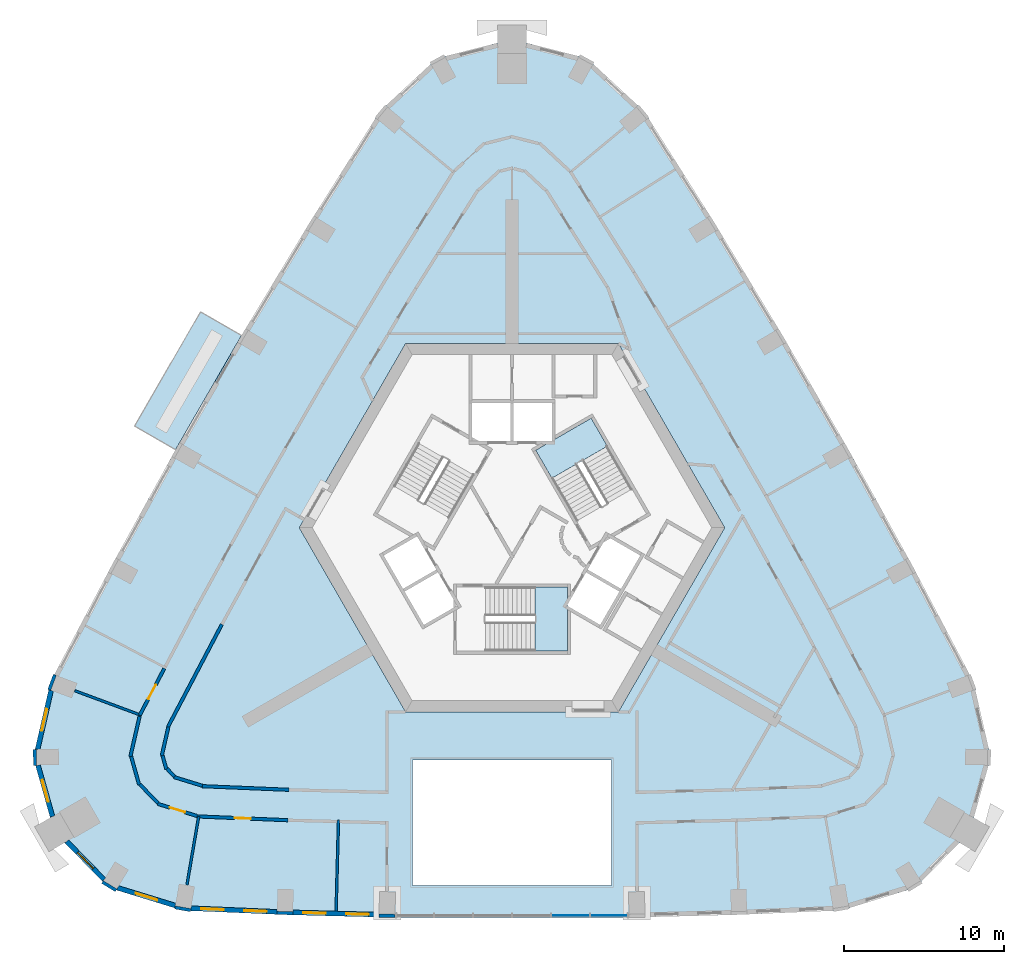
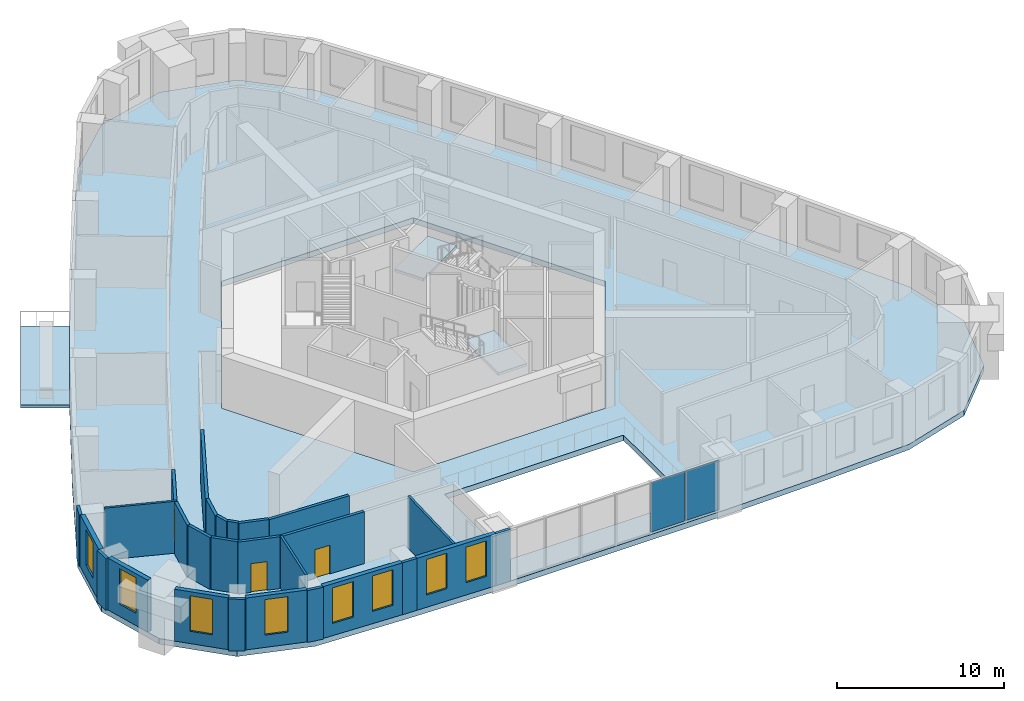
# One storey, part 3 of 13: 27 walls, 8 windows, 4 slabs, 3 doors, 2 plates, 11 openings, 3 elements without a shape of their own.
"""IFC4 building model written with IfcOpenShell, lengths in metres."""

from ifc_helpers import new_model, si_unit, direction, frame, frame_2d, origin, origin_2d, place, context, subcontext, project, spatial, polyline, rectangle, outline, extrude, material, layer, layer_set, type_object, element, fill, aggregate, save


model = new_model("IFC4")

# Units and contexts
model_context = context("Model", 3, precision=1e-05, world=origin(), true_north=direction((0.0, 1.0)))
body_context = subcontext(model_context, "Body", "Model", "MODEL_VIEW")
ifc_project = project(units=[si_unit("LENGTHUNIT", "METRE"), si_unit("AREAUNIT", "SQUARE_METRE"), si_unit("VOLUMEUNIT", "CUBIC_METRE"), si_unit("PLANEANGLEUNIT", "RADIAN"), si_unit("MASSUNIT", "GRAM", prefix="KILO")], contexts=[model_context])

# Site, building, storey
site_placement = place(None, origin())
site = spatial("IfcSite", under=ifc_project, at=site_placement, CompositionType="ELEMENT")
building_placement = place(site_placement, origin())
building = spatial("IfcBuilding", under=site, at=building_placement, Name="Entoto Arch Interchange Tower", CompositionType="ELEMENT")
storey_placement = place(building_placement, frame((0.0, 0.0, 198.199951171875)))
storey = spatial("IfcBuildingStorey", under=building, at=storey_placement, Name="L44", CompositionType="ELEMENT", Elevation=198.199951171875)

# Slab
ifc_material_1 = material(Name="Board-marked precast concrete C50/60", Category="concrete")
ifc_layer_1 = layer(ifc_material_1, 0.25)
ifc_layer_set_1 = layer_set([ifc_layer_1], Name="Board-marked precast concrete C50/60")
slab_type_1 = type_object("IfcSlabType", Name="BALCONY DECK PRECAST 250", PredefinedType="FLOOR", material=ifc_layer_set_1)
slab_1_placement = place(storey_placement, frame((0.0, 0.0, -0.25)))
element("IfcSlab", 1, at=slab_1_placement, inside=storey, type_object=slab_type_1, Name="Planted balcony NW-03 L44", PredefinedType="FLOOR", context=body_context, shape_type="SweptSolid", body=[
    extrude(outline(polyline([(-16.89111328125, 14.50390625), (-21.006103515625, 7.3759765625), (-23.56103515625, 8.85107421875), (-19.446044921875, 15.97900390625), (-16.89111328125, 14.50390625)])), origin(), (0.0, 0.0, 1.0), 0.25),
])

# Stair, slab
ifc_material_2 = material(Name="Concrete C40/50", Category="concrete")
stair_type = type_object("IfcStairType", Name="EXIT STAIR RC 1800", PredefinedType="HALF_TURN_STAIR", material=ifc_material_2)
stair_1_placement = place(storey_placement, origin())
stair_1 = element("IfcStair", 2, at=stair_1_placement, inside=storey, type_object=stair_type, Name="L44 Exit stair S", PredefinedType="HALF_TURN_STAIR")
ifc_layer_2 = layer(ifc_material_2, 0.199951171875)
ifc_layer_set_2 = layer_set([ifc_layer_2], Name="Concrete C40/50")
slab_type_2 = type_object("IfcSlabType", Name="EXIT STAIR LANDING RC 200", PredefinedType="LANDING", material=ifc_layer_set_2)
slab_2_placement = place(storey_placement, frame((0.0, 0.0, 1.900146484375)))
slab_2 = element("IfcSlab", 3, at=slab_2_placement, type_object=slab_type_2, Name="ST-S landing 1", PredefinedType="LANDING", context=body_context, shape_type="SweptSolid", body=[
    extrude(outline(polyline([(1.429931640625, -5.199951171875), (3.449951171875, -5.199951171875), (3.449951171875, -1.199951171875), (1.429931640625, -1.199951171875), (1.429931640625, -5.199951171875)])), origin(), (0.0, 0.0, 1.0), 0.199951171875),
])
aggregate(stair_1, [slab_2])

stair_2_placement = place(storey_placement, origin())
stair_2 = element("IfcStair", 4, at=stair_2_placement, inside=storey, type_object=stair_type, Name="L44 Exit stair NE", PredefinedType="HALF_TURN_STAIR")
slab_3_placement = place(storey_placement, frame((0.0, 0.0, 1.900146484375)))
slab_3 = element("IfcSlab", 5, at=slab_3_placement, type_object=slab_type_2, Name="ST-NE landing 1", PredefinedType="LANDING", context=body_context, shape_type="SweptSolid", body=[
    extrude(outline(polyline([(5.953369140625, 7.58837890625), (4.943359375, 9.337890625), (1.479248046875, 7.337890625), (2.4892578125, 5.58837890625), (5.953369140625, 7.58837890625)])), origin(), (0.0, 0.0, 1.0), 0.199951171875),
])
aggregate(stair_2, [slab_3])

# Curtain wall, plates
ifc_material_3 = material(Name="Aluminium, anodised", Category="aluminium")
curtain_wall_type = type_object("IfcCurtainWallType", Name="CURTAIN WALL ATRIUM", PredefinedType="NOTDEFINED", material=ifc_material_3)
curtain_wall_placement = place(storey_placement, origin())
curtain_wall = element("IfcCurtainWall", 6, at=curtain_wall_placement, inside=storey, type_object=curtain_wall_type, Name="Atrium glazing S-03 L44", PredefinedType="NOTDEFINED")
ifc_material_4 = material(Name="Clear glass, low-e double glazed", Category="glass")
ifc_layer_3 = layer(ifc_material_4, 0.031982421875)
ifc_layer_set_3 = layer_set([ifc_layer_3], Name="Clear glass, low-e double glazed")
plate_type = type_object("IfcPlateType", Name="GLAZING PANEL ATRIUM 32", PredefinedType="CURTAIN_PANEL", material=ifc_layer_set_3)
plate_1_placement = place(storey_placement, frame((3.6494140625, -21.701904296875, 0.080078125), z_axis=(0.0, 0.0, 1.0), x_axis=(1.0, 0.0, 0.0)))
plate_1 = element("IfcPlate", 7, at=plate_1_placement, type_object=plate_type, Name="CWA panel 5.1", PredefinedType="CURTAIN_PANEL", context=body_context, shape_type="SweptSolid", body=[
    extrude(rectangle(XDim=2.3330078125, YDim=0.031982421875, at=origin_2d()), origin(), (0.0, 0.0, 1.0), 3.639892578125),
])
plate_2_placement = place(storey_placement, frame((6.0576171875, -21.701904296875, 0.080078125), z_axis=(0.0, 0.0, 1.0), x_axis=(1.0, 0.0, 0.0)))
plate_2 = element("IfcPlate", 8, at=plate_2_placement, type_object=plate_type, Name="CWA panel 6.1", PredefinedType="CURTAIN_PANEL", context=body_context, shape_type="SweptSolid", body=[
    extrude(rectangle(XDim=2.282958984375, YDim=0.031982421875, at=origin_2d()), origin(), (0.0, 0.0, 1.0), 3.639892578125),
])
aggregate(curtain_wall, [plate_1, plate_2])

# Slab
ifc_layer_4 = layer(ifc_material_2, 0.39990234375)
ifc_layer_set_4 = layer_set([ifc_layer_4], Name="Concrete C40/50")
slab_type_3 = type_object("IfcSlabType", Name="Post-tensioned flat plate 400 C40/50", PredefinedType="FLOOR", material=ifc_layer_set_4)
slab_4_placement = place(storey_placement, frame((0.0, 0.0, -0.39990234375)))
element("IfcSlab", 9, at=slab_4_placement, inside=storey, type_object=slab_type_3, Name="Floor slab L44", PredefinedType="FLOOR", context=body_context, shape_type="SweptSolid", body=[
    extrude(outline(polyline([(-20.569091796875, -21.39208984375), (-14.18505859375, -21.658935546875), (-7.800048828125, -21.826904296875), (7.800048828125, -21.826904296875), (14.18505859375, -21.658935546875), (20.569091796875, -21.39208984375), (25.197021484375, -19.967041015625), (28.5791015625, -16.5), (29.889892578125, -11.837890625), (28.81103515625, -7.116943359375), (24.97998046875, 0.16796875), (21.006103515625, 7.3759765625), (16.89111328125, 14.50390625), (12.635009765625, 21.549072265625), (8.241943359375, 28.510009765625), (4.693115234375, 31.804931640625), (0.0, 33.0), (-4.693115234375, 31.804931640625), (-8.241943359375, 28.510009765625), (-12.635009765625, 21.549072265625), (-16.89111328125, 14.50390625), (-21.006103515625, 7.3759765625), (-24.97998046875, 0.16796875), (-28.81103515625, -7.116943359375), (-29.889892578125, -11.837890625), (-28.5791015625, -16.5), (-25.197021484375, -19.967041015625), (-20.569091796875, -21.39208984375)]), holes=[polyline([(6.199951171875, -19.826904296875), (6.199951171875, -12.0), (-6.199951171875, -12.0), (-6.199951171875, -19.826904296875), (6.199951171875, -19.826904296875)]), polyline([(13.279052734375, 2.5), (6.639892578125, 14.0), (-6.639892578125, 14.0), (-13.279052734375, 2.5), (-6.639892578125, -9.0), (6.639892578125, -9.0), (13.279052734375, 2.5)])]), origin(), (0.0, 0.0, 1.0), 0.39990234375),
])

# Walls
ifc_material_5 = material(Name="Gypsum board partition on steel studs", Category="steel")
ifc_layer_5 = layer(ifc_material_5, 0.14990234375)
ifc_layer_set_5 = layer_set([ifc_layer_5], Name="Gypsum board partition on steel studs")
wall_type_1 = type_object("IfcWallType", Name="PARTITION 150", PredefinedType="PARTITIONING", material=ifc_layer_set_5)
wall_1_placement = place(storey_placement, frame((-23.136962890625, -9.217041015625, 0.0), z_axis=(0.0, 0.0, 1.0), x_axis=(-0.937808569806, 0.34715282859, 0.0)))
element("IfcWall", 10, at=wall_1_placement, inside=storey, type_object=wall_type_1, Name="wall:L44:p120", PredefinedType="PARTITIONING", context=body_context, shape_type="SweptSolid", body=[
    extrude(rectangle(XDim=4.4306640625, YDim=0.14990234375, at=frame_2d((2.21533203125, 0.0))), origin(), (0.0, 0.0, 1.0), 3.800048828125),
])
wall_2_placement = place(storey_placement, frame((-19.56103515625, -15.529052734375, 0.0), z_axis=(0.0, 0.0, 1.0), x_axis=(-0.169546150064, -0.98552224886, 0.0)))
element("IfcWall", 11, at=wall_2_placement, inside=storey, type_object=wall_type_1, Name="wall:L44:p121", PredefinedType="PARTITIONING", context=body_context, shape_type="SweptSolid", body=[
    extrude(rectangle(XDim=4.32861328125, YDim=0.14990234375, at=frame_2d((2.164306640625, 0.0))), origin(), (0.0, 0.0, 1.0), 3.800048828125),
])
wall_3_placement = place(storey_placement, frame((-10.833984375, -15.7451171875, 0.0), z_axis=(0.0, 0.0, 1.0), x_axis=(-0.026298797458, -0.999654126812, 0.0)))
element("IfcWall", 12, at=wall_3_placement, inside=storey, type_object=wall_type_1, Name="wall:L44:p122", PredefinedType="PARTITIONING", context=body_context, shape_type="SweptSolid", body=[
    extrude(rectangle(XDim=5.699951171875, YDim=0.14990234375, at=frame_2d((2.85009765625, 0.0))), origin(), (0.0, 0.0, 1.0), 3.800048828125),
])
ifc_layer_6 = layer(ifc_material_5, 0.199951171875)
ifc_layer_set_6 = layer_set([ifc_layer_6], Name="Gypsum board partition on steel studs")
wall_type_2 = type_object("IfcWallType", Name="PARTITION 200", PredefinedType="PARTITIONING", material=ifc_layer_set_6)
wall_4_placement = place(storey_placement, frame((-18.112060546875, -3.531005859375, 0.0), z_axis=(0.0, 0.0, 1.0), x_axis=(-0.465461327558, -0.885068219149, 0.0)))
element("IfcWall", 13, at=wall_4_placement, inside=storey, type_object=wall_type_2, Name="wall:L44:p026", PredefinedType="PARTITIONING", context=body_context, shape_type="SweptSolid", body=[
    extrude(rectangle(XDim=7.235595703125, YDim=0.199951171875, at=frame_2d((3.61767578125, 0.0))), origin(), (0.0, 0.0, 1.0), 3.800048828125),
])
wall_5_placement = place(storey_placement, frame((-21.4560546875, -9.944091796875, 0.0), z_axis=(0.0, 0.0, 1.0), x_axis=(-0.222871656966, -0.974847795567, 0.0)))
element("IfcWall", 14, at=wall_5_placement, inside=storey, type_object=wall_type_2, Name="wall:L44:p027", PredefinedType="PARTITIONING", context=body_context, shape_type="SweptSolid", body=[
    extrude(rectangle(XDim=1.839111328125, YDim=0.199951171875, at=frame_2d((0.91943359375, 0.0))), origin(), (0.0, 0.0, 1.0), 3.800048828125),
])
wall_6_placement = place(storey_placement, frame((-21.81591796875, -11.735107421875, 0.0), z_axis=(0.0, 0.0, 1.0), x_axis=(0.270192443589, -0.962806337447, 0.0)))
element("IfcWall", 15, at=wall_6_placement, inside=storey, type_object=wall_type_2, Name="wall:L44:p028", PredefinedType="PARTITIONING", context=body_context, shape_type="SweptSolid", body=[
    extrude(rectangle(XDim=0.869140625, YDim=0.199951171875, at=frame_2d((0.4345703125, 0.0))), origin(), (0.0, 0.0, 1.0), 3.800048828125),
])
wall_7_placement = place(storey_placement, frame((-21.5380859375, -12.547119140625, 0.0), z_axis=(0.0, 0.0, 1.0), x_axis=(0.697542638825, -0.716543276446, 0.0)))
element("IfcWall", 16, at=wall_7_placement, inside=storey, type_object=wall_type_2, Name="wall:L44:p029", PredefinedType="PARTITIONING", context=body_context, shape_type="SweptSolid", body=[
    extrude(rectangle(XDim=0.668212890625, YDim=0.199951171875, at=frame_2d((0.333984375, 0.0))), origin(), (0.0, 0.0, 1.0), 3.800048828125),
])
wall_8_placement = place(storey_placement, frame((-21.096923828125, -13.068115234375, 0.0), z_axis=(0.0, 0.0, 1.0), x_axis=(0.955790442908, -0.294048685161, 0.0)))
element("IfcWall", 17, at=wall_8_placement, inside=storey, type_object=wall_type_2, Name="wall:L44:p030", PredefinedType="PARTITIONING", context=body_context, shape_type="SweptSolid", body=[
    extrude(rectangle(XDim=1.846435546875, YDim=0.199951171875, at=frame_2d((0.92333984375, 0.0))), origin(), (0.0, 0.0, 1.0), 3.800048828125),
])
wall_9_placement = place(storey_placement, frame((-19.3359375, -13.636962890625, 0.0), z_axis=(0.0, 0.0, 1.0), x_axis=(0.999130261307, -0.041697972867, 0.0)))
element("IfcWall", 18, at=wall_9_placement, inside=storey, type_object=wall_type_2, Name="wall:L44:p031", PredefinedType="PARTITIONING", context=body_context, shape_type="SweptSolid", body=[
    extrude(rectangle(XDim=5.421630859375, YDim=0.199951171875, at=frame_2d((2.7109375, 0.0))), origin(), (0.0, 0.0, 1.0), 3.800048828125),
])

# Wall, opening, door
wall_10_placement = place(storey_placement, frame((-23.241943359375, -9.2041015625, 0.0), z_axis=(0.0, 0.0, 1.0), x_axis=(0.465431933571, 0.885083676955, 0.0)))
wall_10 = element("IfcWall", 19, at=wall_10_placement, inside=storey, type_object=wall_type_2, Name="wall:L44:p058", PredefinedType="PARTITIONING", context=body_context, shape_type="SweptSolid", body=[
    extrude(rectangle(XDim=3.295654296875, YDim=0.199951171875, at=frame_2d((1.64794921875, 0.0))), origin(), (0.0, 0.0, 1.0), 3.800048828125),
])
opening_1_placement = place(wall_10_placement, frame((1.14794921875, 0.0, 0.0)))
opening_1 = element("IfcOpeningElement", 20, at=opening_1_placement, cuts=wall_10, Name="Opening L44-D13", PredefinedType="OPENING", context=body_context, shape_type="SweptSolid", body=[
    extrude(rectangle(XDim=1.0, YDim=2.10009765625, at=frame_2d((0.5, 1.050048828125))), frame((0.0, 0.10986328125, 0.0), z_axis=(0.0, -1.0, 0.0), x_axis=(1.0, 0.0, 0.0)), (0.0, 0.0, 1.0), 0.219970703125),
])
ifc_material_6 = material(Name="Timber door leaf in Steel S235 frame", Category="steel")
door_type = type_object("IfcDoorType", Name="DOOR DS-10 1000x2100", OperationType="SINGLE_SWING_LEFT", PredefinedType="DOOR", material=ifc_material_6)
door_1_placement = place(opening_1_placement, origin())
door_1 = element("IfcDoor", 21, at=door_1_placement, inside=storey, type_object=door_type, Name="door:L44:13", OperationType="SINGLE_SWING_RIGHT", OverallHeight=2.10009765625, OverallWidth=1.0, PredefinedType="DOOR", context=body_context, shape_type="SweptSolid", body=[
    extrude(rectangle(XDim=1.0, YDim=2.10009765625, at=frame_2d((0.5, 1.050048828125))), frame((0.0, 0.02490234375, 0.0), z_axis=(0.0, -1.0, 0.0), x_axis=(1.0, 0.0, 0.0)), (0.0, 0.0, 1.0), 0.050048828125),
])
fill(opening_1, door_1)

wall_11_placement = place(storey_placement, frame((-19.656982421875, -15.5, 0.0), z_axis=(0.0, 0.0, 1.0), x_axis=(-0.955612889251, 0.294625195625, 0.0)))
wall_11 = element("IfcWall", 22, at=wall_11_placement, inside=storey, type_object=wall_type_2, Name="wall:L44:p059", PredefinedType="PARTITIONING", context=body_context, shape_type="SweptSolid", body=[
    extrude(rectangle(XDim=2.576171875, YDim=0.199951171875, at=frame_2d((1.2880859375, 0.0))), origin(), (0.0, 0.0, 1.0), 3.800048828125),
])
opening_2_placement = place(wall_11_placement, frame((0.7880859375, 0.0, 0.0)))
opening_2 = element("IfcOpeningElement", 23, at=opening_2_placement, cuts=wall_11, Name="Opening L44-D14", PredefinedType="OPENING", context=body_context, shape_type="SweptSolid", body=[
    extrude(rectangle(XDim=1.0, YDim=2.10009765625, at=frame_2d((0.5, 1.050048828125))), frame((0.0, 0.10986328125, 0.0), z_axis=(0.0, -1.0, 0.0), x_axis=(1.0, 0.0, 0.0)), (0.0, 0.0, 1.0), 0.219970703125),
])
door_2_placement = place(opening_2_placement, origin())
door_2 = element("IfcDoor", 24, at=door_2_placement, inside=storey, type_object=door_type, Name="door:L44:14", OperationType="SINGLE_SWING_LEFT", OverallHeight=2.10009765625, OverallWidth=1.0, PredefinedType="DOOR", context=body_context, shape_type="SweptSolid", body=[
    extrude(rectangle(XDim=1.0, YDim=2.10009765625, at=frame_2d((0.5, 1.050048828125))), frame((0.0, 0.02490234375, 0.0), z_axis=(0.0, -1.0, 0.0), x_axis=(1.0, 0.0, 0.0)), (0.0, 0.0, 1.0), 0.050048828125),
])
fill(opening_2, door_2)

# Walls
wall_12_placement = place(storey_placement, frame((-22.093017578125, -14.698974609375, 0.0), z_axis=(0.0, 0.0, 1.0), x_axis=(-0.698551276451, 0.715560000397, 0.0)))
element("IfcWall", 25, at=wall_12_placement, inside=storey, type_object=wall_type_2, Name="wall:L44:p060", PredefinedType="PARTITIONING", context=body_context, shape_type="SweptSolid", body=[
    extrude(rectangle(XDim=1.63623046875, YDim=0.199951171875, at=frame_2d((0.818115234375, 0.0))), origin(), (0.0, 0.0, 1.0), 3.800048828125),
])
wall_13_placement = place(storey_placement, frame((-23.279052734375, -13.552001953125, 0.0), z_axis=(0.0, 0.0, 1.0), x_axis=(-0.270522287318, 0.962713712411, 0.0)))
element("IfcWall", 26, at=wall_13_placement, inside=storey, type_object=wall_type_2, Name="wall:L44:p061", PredefinedType="PARTITIONING", context=body_context, shape_type="SweptSolid", body=[
    extrude(rectangle(XDim=1.83642578125, YDim=0.199951171875, at=frame_2d((0.918212890625, 0.0))), origin(), (0.0, 0.0, 1.0), 3.800048828125),
])
wall_14_placement = place(storey_placement, frame((-23.825927734375, -11.784912109375, 0.0), z_axis=(0.0, 0.0, 1.0), x_axis=(0.222909903746, 0.974839050722, 0.0)))
element("IfcWall", 27, at=wall_14_placement, inside=storey, type_object=wall_type_2, Name="wall:L44:p062", PredefinedType="PARTITIONING", context=body_context, shape_type="SweptSolid", body=[
    extrude(rectangle(XDim=2.570556640625, YDim=0.199951171875, at=frame_2d((1.28515625, 0.0))), origin(), (0.0, 0.0, 1.0), 3.800048828125),
])

# Wall, opening, door
wall_15_placement = place(storey_placement, frame((-13.98388671875, -15.761962890625, 0.0), z_axis=(0.0, 0.0, 1.0), x_axis=(-0.999129271091, 0.041721692781, 0.0)))
wall_15 = element("IfcWall", 28, at=wall_15_placement, inside=storey, type_object=wall_type_2, Name="wall:L44:p064", PredefinedType="PARTITIONING", context=body_context, shape_type="SweptSolid", body=[
    extrude(rectangle(XDim=5.681884765625, YDim=0.199951171875, at=frame_2d((2.8408203125, 0.0))), origin(), (0.0, 0.0, 1.0), 3.800048828125),
])
opening_3_placement = place(wall_15_placement, frame((2.341064453125, 0.0, 0.0)))
opening_3 = element("IfcOpeningElement", 29, at=opening_3_placement, cuts=wall_15, Name="Opening L44-D15", PredefinedType="OPENING", context=body_context, shape_type="SweptSolid", body=[
    extrude(rectangle(XDim=1.0, YDim=2.10009765625, at=frame_2d((0.5, 1.050048828125))), frame((0.0, 0.10986328125, 0.0), z_axis=(0.0, -1.0, 0.0), x_axis=(1.0, 0.0, 0.0)), (0.0, 0.0, 1.0), 0.219970703125),
])
door_3_placement = place(opening_3_placement, origin())
door_3 = element("IfcDoor", 30, at=door_3_placement, inside=storey, type_object=door_type, Name="door:L44:15", OperationType="SINGLE_SWING_LEFT", OverallHeight=2.10009765625, OverallWidth=1.0, PredefinedType="DOOR", context=body_context, shape_type="SweptSolid", body=[
    extrude(rectangle(XDim=1.0, YDim=2.10009765625, at=frame_2d((0.5, 1.050048828125))), frame((0.0, 0.02490234375, 0.0), z_axis=(0.0, -1.0, 0.0), x_axis=(1.0, 0.0, 0.0)), (0.0, 0.0, 1.0), 0.050048828125),
])
fill(opening_3, door_3)

# Wall, openings, windows
ifc_material_7 = material(Name="Welded tuff (ignimbrite) cladding, warm buff", Category="masonry")
ifc_layer_7 = layer(ifc_material_7, 0.300048828125)
ifc_layer_set_7 = layer_set([ifc_layer_7], Name="Welded tuff (ignimbrite) cladding, warm buff")
wall_type_3 = type_object("IfcWallType", Name="STONE INFILL WALL 300", PredefinedType="STANDARD", material=ifc_layer_set_7)
wall_16_placement = place(storey_placement, frame((-20.041015625, -21.263916015625, 0.0), z_axis=(0.0, 0.0, 1.0), x_axis=(0.999127941775, -0.041753514387, 0.0)))
wall_16 = element("IfcWall", 31, at=wall_16_placement, inside=storey, type_object=wall_type_3, Name="Facade wall S-01 L44", PredefinedType="STANDARD", context=body_context, shape_type="SweptSolid", body=[
    extrude(rectangle(XDim=5.36767578125, YDim=0.300048828125, at=frame_2d((2.683837890625, 0.0))), origin(), (0.0, 0.0, 1.0), 3.800048828125),
])
opening_4_placement = place(wall_16_placement, frame((0.64208984375, 0.0, 0.89990234375)))
opening_4 = element("IfcOpeningElement", 32, at=opening_4_placement, cuts=wall_16, Name="Opening WO-B", PredefinedType="OPENING", context=body_context, shape_type="SweptSolid", body=[
    extrude(rectangle(XDim=1.39990234375, YDim=2.60009765625, at=frame_2d((0.699951171875, 1.300048828125))), frame((0.0, 0.16015625, 0.0), z_axis=(0.0, -1.0, 0.0), x_axis=(1.0, 0.0, 0.0)), (0.0, 0.0, 1.0), 0.320068359375),
])
opening_5_placement = place(wall_16_placement, frame((3.325927734375, 0.0, 0.89990234375)))
opening_5 = element("IfcOpeningElement", 33, at=opening_5_placement, cuts=wall_16, Name="Opening WO-B", PredefinedType="OPENING", context=body_context, shape_type="SweptSolid", body=[
    extrude(rectangle(XDim=1.39990234375, YDim=2.60009765625, at=frame_2d((0.699951171875, 1.300048828125))), frame((0.0, 0.16015625, 0.0), z_axis=(0.0, -1.0, 0.0), x_axis=(1.0, 0.0, 0.0)), (0.0, 0.0, 1.0), 0.320068359375),
])
window_type = type_object("IfcWindowType", Name="WINDOW WO-B 1400x2600", PartitioningType="DOUBLE_PANEL_VERTICAL", PredefinedType="WINDOW", material=ifc_material_4)
window_1_placement = place(opening_4_placement, origin())
window_1 = element("IfcWindow", 34, at=window_1_placement, inside=storey, type_object=window_type, Name="Window WO-B S-01 L44", OverallHeight=2.60009765625, OverallWidth=1.39990234375, PartitioningType="SINGLE_PANEL", PredefinedType="WINDOW", context=body_context, shape_type="SweptSolid", body=[
    extrude(rectangle(XDim=1.39990234375, YDim=2.60009765625, at=frame_2d((0.699951171875, 1.300048828125))), frame((0.0, 0.030029296875, 0.0), z_axis=(0.0, -1.0, 0.0), x_axis=(1.0, 0.0, 0.0)), (0.0, 0.0, 1.0), 0.06005859375),
])
fill(opening_4, window_1)
window_2_placement = place(opening_5_placement, origin())
window_2 = element("IfcWindow", 35, at=window_2_placement, inside=storey, type_object=window_type, Name="Window WO-B S-01 L44", OverallHeight=2.60009765625, OverallWidth=1.39990234375, PartitioningType="SINGLE_PANEL", PredefinedType="WINDOW", context=body_context, shape_type="SweptSolid", body=[
    extrude(rectangle(XDim=1.39990234375, YDim=2.60009765625, at=frame_2d((0.699951171875, 1.300048828125))), frame((0.0, 0.030029296875, 0.0), z_axis=(0.0, -1.0, 0.0), x_axis=(1.0, 0.0, 0.0)), (0.0, 0.0, 1.0), 0.06005859375),
])
fill(opening_5, window_2)

wall_17_placement = place(storey_placement, frame((-13.680908203125, -21.52197265625, 0.0), z_axis=(0.0, 0.0, 1.0), x_axis=(0.999651908676, -0.026382977093, 0.0)))
wall_17 = element("IfcWall", 36, at=wall_17_placement, inside=storey, type_object=wall_type_3, Name="Facade wall S-02 L44", PredefinedType="STANDARD", context=body_context, shape_type="SweptSolid", body=[
    extrude(rectangle(XDim=5.3857421875, YDim=0.300048828125, at=frame_2d((2.69287109375, 0.0))), origin(), (0.0, 0.0, 1.0), 3.800048828125),
])
opening_6_placement = place(wall_17_placement, frame((0.64599609375, 0.0, 0.89990234375)))
opening_6 = element("IfcOpeningElement", 37, at=opening_6_placement, cuts=wall_17, Name="Opening WO-B", PredefinedType="OPENING", context=body_context, shape_type="SweptSolid", body=[
    extrude(rectangle(XDim=1.39990234375, YDim=2.60009765625, at=frame_2d((0.699951171875, 1.300048828125))), frame((0.0, 0.16015625, 0.0), z_axis=(0.0, -1.0, 0.0), x_axis=(1.0, 0.0, 0.0)), (0.0, 0.0, 1.0), 0.320068359375),
])
opening_7_placement = place(wall_17_placement, frame((3.339111328125, 0.0, 0.89990234375)))
opening_7 = element("IfcOpeningElement", 38, at=opening_7_placement, cuts=wall_17, Name="Opening WO-B", PredefinedType="OPENING", context=body_context, shape_type="SweptSolid", body=[
    extrude(rectangle(XDim=1.39990234375, YDim=2.60009765625, at=frame_2d((0.699951171875, 1.300048828125))), frame((0.0, 0.16015625, 0.0), z_axis=(0.0, -1.0, 0.0), x_axis=(1.0, 0.0, 0.0)), (0.0, 0.0, 1.0), 0.320068359375),
])
window_3_placement = place(opening_6_placement, origin())
window_3 = element("IfcWindow", 39, at=window_3_placement, inside=storey, type_object=window_type, Name="Window WO-B S-02 L44", OverallHeight=2.60009765625, OverallWidth=1.39990234375, PartitioningType="SINGLE_PANEL", PredefinedType="WINDOW", context=body_context, shape_type="SweptSolid", body=[
    extrude(rectangle(XDim=1.39990234375, YDim=2.60009765625, at=frame_2d((0.699951171875, 1.300048828125))), frame((0.0, 0.030029296875, 0.0), z_axis=(0.0, -1.0, 0.0), x_axis=(1.0, 0.0, 0.0)), (0.0, 0.0, 1.0), 0.06005859375),
])
fill(opening_6, window_3)
window_4_placement = place(opening_7_placement, origin())
window_4 = element("IfcWindow", 40, at=window_4_placement, inside=storey, type_object=window_type, Name="Window WO-B S-02 L44", OverallHeight=2.60009765625, OverallWidth=1.39990234375, PartitioningType="SINGLE_PANEL", PredefinedType="WINDOW", context=body_context, shape_type="SweptSolid", body=[
    extrude(rectangle(XDim=1.39990234375, YDim=2.60009765625, at=frame_2d((0.699951171875, 1.300048828125))), frame((0.0, 0.030029296875, 0.0), z_axis=(0.0, -1.0, 0.0), x_axis=(1.0, 0.0, 0.0)), (0.0, 0.0, 1.0), 0.06005859375),
])
fill(opening_7, window_4)

# Wall, opening, window
wall_18_placement = place(storey_placement, frame((-28.781005859375, -7.659912109375, 0.0), z_axis=(0.0, 0.0, 1.0), x_axis=(-0.223013094864, -0.974815448954, 0.0)))
wall_18 = element("IfcWall", 41, at=wall_18_placement, inside=storey, type_object=wall_type_3, Name="Facade wall SW-01 L44", PredefinedType="STANDARD", context=body_context, shape_type="SweptSolid", body=[
    extrude(rectangle(XDim=3.76708984375, YDim=0.300048828125, at=frame_2d((1.883544921875, 0.0))), origin(), (0.0, 0.0, 1.0), 3.800048828125),
])
opening_8_placement = place(wall_18_placement, frame((1.18310546875, 0.0, 0.89990234375)))
opening_8 = element("IfcOpeningElement", 42, at=opening_8_placement, cuts=wall_18, Name="Opening WO-B", PredefinedType="OPENING", context=body_context, shape_type="SweptSolid", body=[
    extrude(rectangle(XDim=1.39990234375, YDim=2.60009765625, at=frame_2d((0.699951171875, 1.300048828125))), frame((0.0, 0.16015625, 0.0), z_axis=(0.0, -1.0, 0.0), x_axis=(1.0, 0.0, 0.0)), (0.0, 0.0, 1.0), 0.320068359375),
])
window_5_placement = place(opening_8_placement, origin())
window_5 = element("IfcWindow", 43, at=window_5_placement, inside=storey, type_object=window_type, Name="Window WO-B SW-01 L44", OverallHeight=2.60009765625, OverallWidth=1.39990234375, PartitioningType="SINGLE_PANEL", PredefinedType="WINDOW", context=body_context, shape_type="SweptSolid", body=[
    extrude(rectangle(XDim=1.39990234375, YDim=2.60009765625, at=frame_2d((0.699951171875, 1.300048828125))), frame((0.0, 0.030029296875, 0.0), z_axis=(0.0, -1.0, 0.0), x_axis=(1.0, 0.0, 0.0)), (0.0, 0.0, 1.0), 0.06005859375),
])
fill(opening_8, window_5)

wall_19_placement = place(storey_placement, frame((-29.595947265625, -12.330078125, 0.0), z_axis=(0.0, 0.0, 1.0), x_axis=(0.270798765166, -0.962635979374, 0.0)))
wall_19 = element("IfcWall", 44, at=wall_19_placement, inside=storey, type_object=wall_type_3, Name="Facade wall SW-02 L44", PredefinedType="STANDARD", context=body_context, shape_type="SweptSolid", body=[
    extrude(rectangle(XDim=3.3232421875, YDim=0.300048828125, at=frame_2d((1.66162109375, 0.0))), origin(), (0.0, 0.0, 1.0), 3.800048828125),
])
opening_9_placement = place(wall_19_placement, frame((0.9619140625, 0.0, 0.89990234375)))
opening_9 = element("IfcOpeningElement", 45, at=opening_9_placement, cuts=wall_19, Name="Opening WO-B", PredefinedType="OPENING", context=body_context, shape_type="SweptSolid", body=[
    extrude(rectangle(XDim=1.39990234375, YDim=2.60009765625, at=frame_2d((0.699951171875, 1.300048828125))), frame((0.0, 0.16015625, 0.0), z_axis=(0.0, -1.0, 0.0), x_axis=(1.0, 0.0, 0.0)), (0.0, 0.0, 1.0), 0.320068359375),
])
window_6_placement = place(opening_9_placement, origin())
window_6 = element("IfcWindow", 46, at=window_6_placement, inside=storey, type_object=window_type, Name="Window WO-B SW-02 L44", OverallHeight=2.60009765625, OverallWidth=1.39990234375, PartitioningType="SINGLE_PANEL", PredefinedType="WINDOW", context=body_context, shape_type="SweptSolid", body=[
    extrude(rectangle(XDim=1.39990234375, YDim=2.60009765625, at=frame_2d((0.699951171875, 1.300048828125))), frame((0.0, 0.030029296875, 0.0), z_axis=(0.0, -1.0, 0.0), x_axis=(1.0, 0.0, 0.0)), (0.0, 0.0, 1.0), 0.06005859375),
])
fill(opening_9, window_6)

wall_20_placement = place(storey_placement, frame((-27.797119140625, -17.0869140625, 0.0), z_axis=(0.0, 0.0, 1.0), x_axis=(0.698311919602, -0.71579358962, 0.0)))
wall_20 = element("IfcWall", 47, at=wall_20_placement, inside=storey, type_object=wall_type_3, Name="Facade wall SW-03 L44", PredefinedType="STANDARD", context=body_context, shape_type="SweptSolid", body=[
    extrude(rectangle(XDim=3.32373046875, YDim=0.300048828125, at=frame_2d((1.661865234375, 0.0))), origin(), (0.0, 0.0, 1.0), 3.800048828125),
])
opening_10_placement = place(wall_20_placement, frame((0.9619140625, 0.0, 0.89990234375)))
opening_10 = element("IfcOpeningElement", 48, at=opening_10_placement, cuts=wall_20, Name="Opening WO-B", PredefinedType="OPENING", context=body_context, shape_type="SweptSolid", body=[
    extrude(rectangle(XDim=1.39990234375, YDim=2.60009765625, at=frame_2d((0.699951171875, 1.300048828125))), frame((0.0, 0.16015625, 0.0), z_axis=(0.0, -1.0, 0.0), x_axis=(1.0, 0.0, 0.0)), (0.0, 0.0, 1.0), 0.320068359375),
])
window_7_placement = place(opening_10_placement, origin())
window_7 = element("IfcWindow", 49, at=window_7_placement, inside=storey, type_object=window_type, Name="Window WO-B SW-03 L44", OverallHeight=2.60009765625, OverallWidth=1.39990234375, PartitioningType="SINGLE_PANEL", PredefinedType="WINDOW", context=body_context, shape_type="SweptSolid", body=[
    extrude(rectangle(XDim=1.39990234375, YDim=2.60009765625, at=frame_2d((0.699951171875, 1.300048828125))), frame((0.0, 0.030029296875, 0.0), z_axis=(0.0, -1.0, 0.0), x_axis=(1.0, 0.0, 0.0)), (0.0, 0.0, 1.0), 0.06005859375),
])
fill(opening_10, window_7)

wall_21_placement = place(storey_placement, frame((-24.6240234375, -19.986083984375, 0.0), z_axis=(0.0, 0.0, 1.0), x_axis=(0.955692086233, -0.29436819854, 0.0)))
wall_21 = element("IfcWall", 50, at=wall_21_placement, inside=storey, type_object=wall_type_3, Name="Facade wall SW-04 L44", PredefinedType="STANDARD", context=body_context, shape_type="SweptSolid", body=[
    extrude(rectangle(XDim=3.76708984375, YDim=0.300048828125, at=frame_2d((1.883544921875, 0.0))), origin(), (0.0, 0.0, 1.0), 3.800048828125),
])
opening_11_placement = place(wall_21_placement, frame((1.18310546875, 0.0, 0.89990234375)))
opening_11 = element("IfcOpeningElement", 51, at=opening_11_placement, cuts=wall_21, Name="Opening WO-B", PredefinedType="OPENING", context=body_context, shape_type="SweptSolid", body=[
    extrude(rectangle(XDim=1.39990234375, YDim=2.60009765625, at=frame_2d((0.699951171875, 1.300048828125))), frame((0.0, 0.16015625, 0.0), z_axis=(0.0, -1.0, 0.0), x_axis=(1.0, 0.0, 0.0)), (0.0, 0.0, 1.0), 0.320068359375),
])
window_8_placement = place(opening_11_placement, origin())
window_8 = element("IfcWindow", 52, at=window_8_placement, inside=storey, type_object=window_type, Name="Window WO-B SW-04 L44", OverallHeight=2.60009765625, OverallWidth=1.39990234375, PartitioningType="SINGLE_PANEL", PredefinedType="WINDOW", context=body_context, shape_type="SweptSolid", body=[
    extrude(rectangle(XDim=1.39990234375, YDim=2.60009765625, at=frame_2d((0.699951171875, 1.300048828125))), frame((0.0, 0.030029296875, 0.0), z_axis=(0.0, -1.0, 0.0), x_axis=(1.0, 0.0, 0.0)), (0.0, 0.0, 1.0), 0.06005859375),
])
fill(opening_11, window_8)

# Walls
ifc_layer_8 = layer(ifc_material_7, 0.199951171875)
ifc_layer_set_8 = layer_set([ifc_layer_8], Name="Welded tuff (ignimbrite) cladding, warm buff")
wall_type_4 = type_object("IfcWallType", Name="STONE PIER CLADDING 200", PredefinedType="STANDARD", material=ifc_layer_set_8)
for number, where, z_axis, x_axis, name in (
    (53, (-28.5439453125, -6.68310546875, 0.0), (0.0, 0.0, 1.0), (-0.347107644204, -0.937825294677, 0.0), "Stone pier NW06 L44"),
    (54, (-21.044921875, -21.208984375, 0.0), (0.0, 0.0, 1.0), (0.985631544579, -0.168909615862, 0.0), "Stone pier S01 L44"),
):
    element("IfcWall", number, at=place(storey_placement, frame(where, z_axis=z_axis, x_axis=x_axis)), inside=storey, type_object=wall_type_4, Name=name, PredefinedType="STANDARD", context=body_context, shape_type="SweptSolid", body=[
        extrude(rectangle(XDim=1.000244140625, YDim=0.199951171875, at=frame_2d((0.5, 0.0))), origin(), (0.0, 0.0, 1.0), 3.800048828125),
    ])
wall_22_placement = place(storey_placement, frame((-14.680908203125, -21.5419921875, 0.0), z_axis=(0.0, 0.0, 1.0), x_axis=(0.999423561854, -0.033949138587, 0.0)))
element("IfcWall", 55, at=wall_22_placement, inside=storey, type_object=wall_type_4, Name="Stone pier S02 L44", PredefinedType="STANDARD", context=body_context, shape_type="SweptSolid", body=[
    extrude(rectangle(XDim=0.99951171875, YDim=0.199951171875, at=frame_2d((0.499755859375, 0.0))), origin(), (0.0, 0.0, 1.0), 3.800048828125),
])
wall_23_placement = place(storey_placement, frame((-8.299072265625, -21.719970703125, 0.0), z_axis=(0.0, 0.0, 1.0), x_axis=(0.999903186316, -0.013914668364, 0.0)))
element("IfcWall", 56, at=wall_23_placement, inside=storey, type_object=wall_type_4, Name="Stone pier S03 L44", PredefinedType="STANDARD", context=body_context, shape_type="SweptSolid", body=[
    extrude(rectangle(XDim=1.0, YDim=0.199951171875, at=frame_2d((0.5, 0.0))), origin(), (0.0, 0.0, 1.0), 3.800048828125),
])
wall_24_placement = place(storey_placement, frame((-29.802001953125, -11.3359375, 0.0), z_axis=(0.0, 0.0, 1.0), x_axis=(0.023942303888, -0.999713341956, 0.0)))
element("IfcWall", 57, at=wall_24_placement, inside=storey, type_object=wall_type_4, Name="Stone pier SW1 L44", PredefinedType="STANDARD", context=body_context, shape_type="SweptSolid", body=[
    extrude(rectangle(XDim=0.999267578125, YDim=0.199951171875, at=frame_2d((0.49951171875, 0.0))), origin(), (0.0, 0.0, 1.0), 3.800048828125),
])
wall_25_placement = place(storey_placement, frame((-25.572021484375, -19.62109375, 0.0), z_axis=(0.0, 0.0, 1.0), x_axis=(0.853679739553, -0.520798331677, 0.0)))
element("IfcWall", 58, at=wall_25_placement, inside=storey, type_object=wall_type_4, Name="Stone pier SW3 L44", PredefinedType="STANDARD", context=body_context, shape_type="SweptSolid", body=[
    extrude(rectangle(XDim=1.00048828125, YDim=0.199951171875, at=frame_2d((0.500244140625, 0.0))), origin(), (0.0, 0.0, 1.0), 3.800048828125),
])

save(model, "model.ifc")
